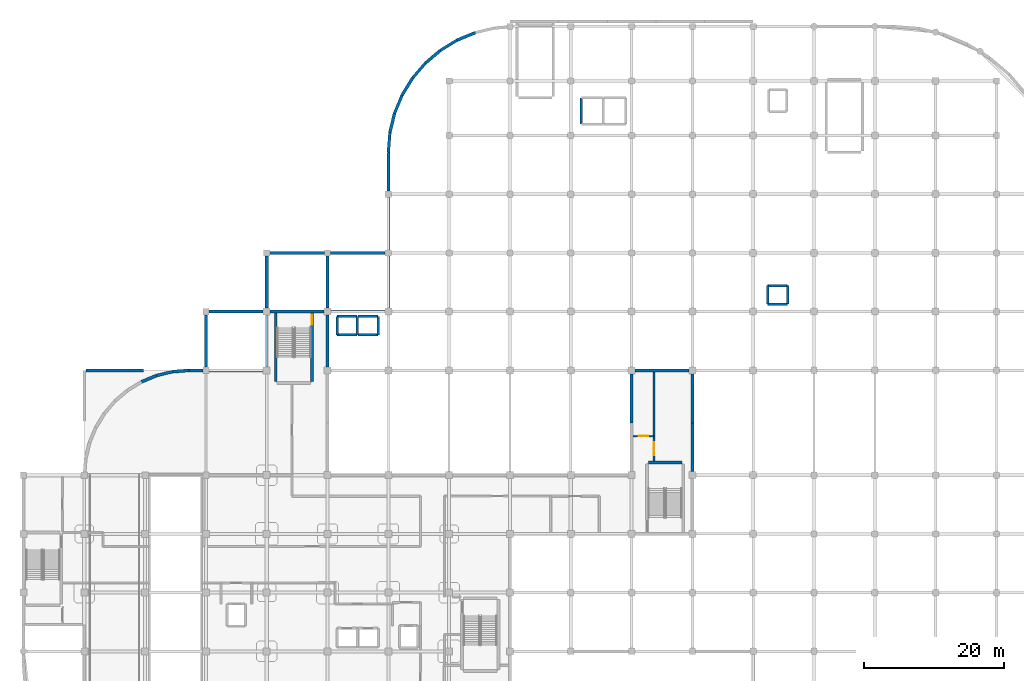
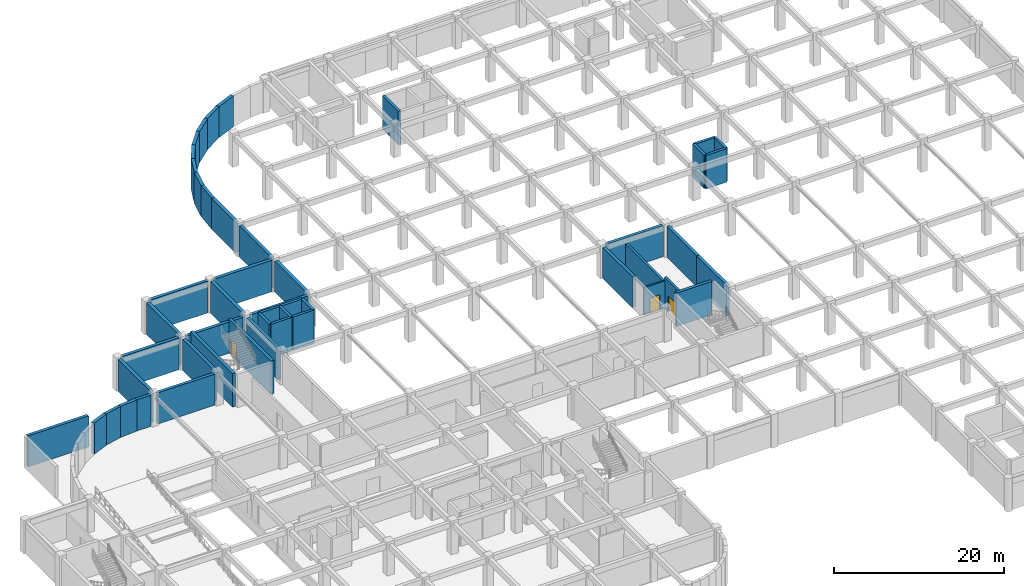
# One storey, part 13 of 19: 49 walls, 3 doors, 3 openings.
"""IFC4 building model written with IfcOpenShell, lengths in metres."""

from ifc_helpers import new_model, si_unit, derived_unit, direction, frame, frame_2d, origin, place, context, subcontext, project, spatial, rectangle, extrude, material, layer, layer_set, type_object, element, fill, save


model = new_model("IFC4")

# Units and contexts
model_context = context("Model", 3, precision=1e-05, world=origin(), true_north=direction((0.0, 1.0)))
body_context = subcontext(model_context, "Body", "Model", "MODEL_VIEW")
ifc_project = project(units=[si_unit("LENGTHUNIT", "METRE"), si_unit("AREAUNIT", "SQUARE_METRE"), si_unit("VOLUMEUNIT", "CUBIC_METRE"), si_unit("PLANEANGLEUNIT", "RADIAN"), si_unit("MASSUNIT", "GRAM", prefix="KILO"), derived_unit("THERMALTRANSMITTANCEUNIT", [(si_unit("MASSUNIT", "GRAM", prefix="KILO"), 1), (si_unit("TIMEUNIT", "SECOND"), -3), (si_unit("THERMODYNAMICTEMPERATUREUNIT", "KELVIN"), -1)])], contexts=[model_context])

# Site, building, storey
site_placement = place(None, origin())
site = spatial("IfcSite", under=ifc_project, at=site_placement, CompositionType="ELEMENT")
building_placement = place(site_placement, origin())
building = spatial("IfcBuilding", under=site, at=building_placement, Name="Qinzheling Arcade Emporium", CompositionType="ELEMENT")
storey_placement = place(building_placement, frame((0.0, 0.0, -4.800048828125)))
storey = spatial("IfcBuildingStorey", under=building, at=storey_placement, Name="B1", CompositionType="ELEMENT", Elevation=-4.800048828125)

# Wall, opening, door
ifc_material_1 = material(Name="Double-stud acoustic gypsum board partition")
ifc_layer_1 = layer(ifc_material_1, 0.215087890625, Name="Double-stud acoustic gypsum board partition")
ifc_layer_set_1 = layer_set([ifc_layer_1], Name="Double-stud acoustic gypsum board partition")
wall_type_1 = type_object("IfcWallType", Name="Acoustic Corridor Partition Wall 215", PredefinedType="PARTITIONING", material=ifc_layer_set_1)
wall_1_placement = place(storey_placement, frame((87.2099609375, 56.0, 0.0), z_axis=(0.0, 0.0, 1.0), x_axis=(1.0, 0.0, 0.0)))
wall_1 = element("IfcWall", 1, at=wall_1_placement, inside=storey, type_object=wall_type_1, Name="Interior Wall WL-B1-INT-0016", PredefinedType="PARTITIONING", context=body_context, shape_type="SweptSolid", body=[
    extrude(rectangle(XDim=2.989990234375, YDim=0.215087890625, at=frame_2d((1.4951171875, 0.0))), origin(), (0.0, 0.0, 1.0), 3.962158203125),
])
opening_1_placement = place(wall_1_placement, frame((0.820068359375, 0.0, 0.0)))
opening_1 = element("IfcOpeningElement", 2, at=opening_1_placement, cuts=wall_1, Name="Opening FD05", PredefinedType="OPENING", context=body_context, shape_type="SweptSolid", body=[
    extrude(rectangle(XDim=1.35009765625, YDim=2.199951171875, at=frame_2d((0.675048828125, 1.10009765625))), frame((0.0, 0.11767578125, 0.0), z_axis=(0.0, -1.0, 0.0), x_axis=(1.0, 0.0, 0.0)), (0.0, 0.0, 1.0), 0.235107421875),
])
ifc_material_2 = material(Name="Class B fire-rated stainless-clad door")
door_type_1 = type_object("IfcDoorType", Name="Kitchen Fire-Rated Service Door 1350x2200", OperationType="NOTDEFINED", PredefinedType="DOOR", material=ifc_material_2)
door_1_placement = place(opening_1_placement, origin())
door_1 = element("IfcDoor", 3, at=door_1_placement, inside=storey, type_object=door_type_1, Name="FD05 Interior Door DR-B1-INT-0008", OperationType="SINGLE_SWING_RIGHT", OverallHeight=2.199951171875, OverallWidth=1.35009765625, PredefinedType="DOOR", context=body_context, shape_type="SweptSolid", body=[
    extrude(rectangle(XDim=1.35009765625, YDim=2.199951171875, at=frame_2d((0.675048828125, 1.10009765625))), frame((0.0, 0.02490234375, 0.0), z_axis=(0.0, -1.0, 0.0), x_axis=(1.0, 0.0, 0.0)), (0.0, 0.0, 1.0), 0.050048828125),
])
fill(opening_1, door_1)

# Walls
ifc_material_3 = material(Name="Concrete C40", Category="concrete")
ifc_layer_2 = layer(ifc_material_3, 0.419921875, Name="Concrete C40", Category="concrete")
ifc_layer_set_2 = layer_set([ifc_layer_2], Name="Concrete C40")
wall_type_2 = type_object("IfcWallType", Name="Basement Ramp Retaining Wall 420 C40", PredefinedType="USERDEFINED", material=ifc_layer_set_2)
wall_2_placement = place(storey_placement, frame((19.06494140625, 64.666015625, 0.0), z_axis=(0.0, 0.0, 1.0), x_axis=(0.972393894208, 0.233345483149, 0.0)))
element("IfcWall", 4, at=wall_2_placement, inside=storey, type_object=wall_type_2, Name="Retaining Wall WL-B1-RW-208", ObjectType="RETAININGWALL", PredefinedType="USERDEFINED", context=body_context, shape_type="SweptSolid", body=[
    extrude(rectangle(XDim=2.35302734375, YDim=0.419921875, at=frame_2d((1.176513671875, 0.0))), origin(), (0.0, 0.0, 1.0), 4.4599609375),
])
wall_3_placement = place(storey_placement, frame((23.699951171875, 65.39990234375, 0.0), z_axis=(0.0, 0.0, 1.0), x_axis=(1.0, 0.0, 0.0)))
element("IfcWall", 5, at=wall_3_placement, inside=storey, type_object=wall_type_2, Name="Retaining Wall WL-B1-RW-210", ObjectType="RETAININGWALL", PredefinedType="USERDEFINED", context=body_context, shape_type="SweptSolid", body=[
    extrude(rectangle(XDim=1.947998046875, YDim=0.419921875, at=frame_2d((0.97412109375, 0.0))), origin(), (0.0, 0.0, 1.0), 4.4599609375),
])
wall_4_placement = place(storey_placement, frame((26.552001953125, 73.800048828125, 0.0), z_axis=(0.0, 0.0, 1.0), x_axis=(1.0, 0.0, 0.0)))
element("IfcWall", 6, at=wall_4_placement, inside=storey, type_object=wall_type_2, Name="Retaining Wall WL-B1-RW-212", ObjectType="RETAININGWALL", PredefinedType="USERDEFINED", context=body_context, shape_type="SweptSolid", body=[
    extrude(rectangle(XDim=7.74609375, YDim=0.419921875, at=frame_2d((3.873046875, 0.0))), origin(), (0.0, 0.0, 1.0), 4.580078125),
])
wall_5_placement = place(storey_placement, frame((35.251953125, 82.199951171875, 0.0), z_axis=(0.0, 0.0, 1.0), x_axis=(1.0, 0.0, 0.0)))
element("IfcWall", 7, at=wall_5_placement, inside=storey, type_object=wall_type_2, Name="Retaining Wall WL-B1-RW-214", ObjectType="RETAININGWALL", PredefinedType="USERDEFINED", context=body_context, shape_type="SweptSolid", body=[
    extrude(rectangle(XDim=7.796142578125, YDim=0.419921875, at=frame_2d((3.89794921875, 0.0))), origin(), (0.0, 0.0, 1.0), 4.580078125),
])
wall_6_placement = place(storey_placement, frame((44.001953125, 73.800048828125, 0.0), z_axis=(0.0, 0.0, 1.0), x_axis=(1.0, 0.0, 0.0)))
element("IfcWall", 8, at=wall_6_placement, inside=storey, type_object=wall_type_2, Name="Retaining Wall WL-B1-RW-216", ObjectType="RETAININGWALL", PredefinedType="USERDEFINED", context=body_context, shape_type="SweptSolid", body=[
    extrude(rectangle(XDim=7.696044921875, YDim=0.419921875, at=frame_2d((3.84814453125, 0.0))), origin(), (0.0, 0.0, 1.0), 4.4599609375),
])
wall_7_placement = place(storey_placement, frame((52.199951171875, 82.652099609375, 0.0), z_axis=(0.0, 0.0, 1.0), x_axis=(0.0, 1.0, 0.0)))
element("IfcWall", 9, at=wall_7_placement, inside=storey, type_object=wall_type_2, Name="Retaining Wall WL-B1-RW-218", ObjectType="RETAININGWALL", PredefinedType="USERDEFINED", context=body_context, shape_type="SweptSolid", body=[
    extrude(rectangle(XDim=7.495849609375, YDim=0.419921875, at=frame_2d((3.748046875, 0.0))), origin(), (0.0, 0.0, 1.0), 4.4599609375),
])
wall_8_placement = place(storey_placement, frame((52.199951171875, 96.60009765625, 0.0), z_axis=(0.0, 0.0, 1.0), x_axis=(0.078652755923, 0.996902073418, 0.0)))
element("IfcWall", 10, at=wall_8_placement, inside=storey, type_object=wall_type_2, Name="Retaining Wall WL-B1-RW-220", ObjectType="RETAININGWALL", PredefinedType="USERDEFINED", context=body_context, shape_type="SweptSolid", body=[
    extrude(rectangle(XDim=2.82470703125, YDim=0.419921875, at=frame_2d((1.412353515625, 0.0))), origin(), (0.0, 0.0, 1.0), 4.4599609375),
])
wall_9_placement = place(storey_placement, frame((53.0810546875, 102.162109375, 0.0), z_axis=(0.0, 0.0, 1.0), x_axis=(0.382687638477, 0.923877790271, 0.0)))
element("IfcWall", 11, at=wall_9_placement, inside=storey, type_object=wall_type_2, Name="Retaining Wall WL-B1-RW-222", ObjectType="RETAININGWALL", PredefinedType="USERDEFINED", context=body_context, shape_type="SweptSolid", body=[
    extrude(rectangle(XDim=2.824951171875, YDim=0.419921875, at=frame_2d((1.41259765625, 0.0))), origin(), (0.0, 0.0, 1.0), 4.4599609375),
])
wall_10_placement = place(storey_placement, frame((55.637939453125, 107.179931640625, 0.0), z_axis=(0.0, 0.0, 1.0), x_axis=(0.649337989494, 0.760499950954, 0.0)))
element("IfcWall", 12, at=wall_10_placement, inside=storey, type_object=wall_type_2, Name="Retaining Wall WL-B1-RW-224", ObjectType="RETAININGWALL", PredefinedType="USERDEFINED", context=body_context, shape_type="SweptSolid", body=[
    extrude(rectangle(XDim=2.824462890625, YDim=0.419921875, at=frame_2d((1.412109375, 0.0))), origin(), (0.0, 0.0, 1.0), 4.4599609375),
])
wall_11_placement = place(storey_placement, frame((59.6201171875, 111.162109375, 0.0), z_axis=(0.0, 0.0, 1.0), x_axis=(0.852603737195, 0.522558003786, 0.0)))
element("IfcWall", 13, at=wall_11_placement, inside=storey, type_object=wall_type_2, Name="Retaining Wall WL-B1-RW-226", ObjectType="RETAININGWALL", PredefinedType="USERDEFINED", context=body_context, shape_type="SweptSolid", body=[
    extrude(rectangle(XDim=2.82421875, YDim=0.419921875, at=frame_2d((1.412109375, 0.0))), origin(), (0.0, 0.0, 1.0), 4.4599609375),
])
ifc_layer_3 = layer(ifc_material_3, 0.409912109375, Name="Concrete C40", Category="concrete")
ifc_layer_set_3 = layer_set([ifc_layer_3], Name="Concrete C40")
wall_type_3 = type_object("IfcWallType", Name="Interior Basement Retaining Wall 410 C40", PredefinedType="USERDEFINED", material=ifc_layer_set_3)
wall_12_placement = place(storey_placement, frame((8.945068359375, 65.39990234375, 0.0), z_axis=(0.0, 0.0, 1.0), x_axis=(1.0, 0.0, 0.0)))
element("IfcWall", 14, at=wall_12_placement, inside=storey, type_object=wall_type_3, Name="Internal Basement Retaining Wall WL-B1-RW-303", ObjectType="RETAININGWALL", PredefinedType="USERDEFINED", context=body_context, shape_type="SweptSolid", body=[
    extrude(rectangle(XDim=8.22705078125, YDim=0.409912109375, at=frame_2d((4.113525390625, 0.0))), origin(), (0.0, 0.0, 1.0), 4.4599609375),
])
wall_13_placement = place(storey_placement, frame((26.552001953125, 65.39990234375, 0.0), z_axis=(0.0, 0.0, 1.0), x_axis=(1.0, 0.0, 0.0)))
element("IfcWall", 15, at=wall_13_placement, inside=storey, type_object=wall_type_3, Name="Internal Basement Retaining Wall WL-B1-RW-304", ObjectType="RETAININGWALL", PredefinedType="USERDEFINED", context=body_context, shape_type="SweptSolid", body=[
    extrude(rectangle(XDim=7.74609375, YDim=0.409912109375, at=frame_2d((3.873046875, 0.0))), origin(), (0.0, 0.0, 1.0), 4.4599609375),
])
wall_14_placement = place(storey_placement, frame((34.800048828125, 65.902099609375, 0.0), z_axis=(0.0, 0.0, 1.0), x_axis=(0.0, 1.0, 0.0)))
element("IfcWall", 16, at=wall_14_placement, inside=storey, type_object=wall_type_3, Name="Internal Basement Retaining Wall WL-B1-RW-305", ObjectType="RETAININGWALL", PredefinedType="USERDEFINED", context=body_context, shape_type="SweptSolid", body=[
    extrude(rectangle(XDim=7.39599609375, YDim=0.409912109375, at=frame_2d((3.697998046875, 0.0))), origin(), (0.0, 0.0, 1.0), 4.4599609375),
])
wall_15_placement = place(storey_placement, frame((35.302001953125, 73.800048828125, 0.0), z_axis=(0.0, 0.0, 1.0), x_axis=(1.0, 0.0, 0.0)))
element("IfcWall", 17, at=wall_15_placement, inside=storey, type_object=wall_type_3, Name="Internal Basement Retaining Wall WL-B1-RW-306", ObjectType="RETAININGWALL", PredefinedType="USERDEFINED", context=body_context, shape_type="SweptSolid", body=[
    extrude(rectangle(XDim=7.696044921875, YDim=0.409912109375, at=frame_2d((3.84814453125, 0.0))), origin(), (0.0, 0.0, 1.0), 4.4599609375),
])
wall_16_placement = place(storey_placement, frame((43.5, 73.298095703125, 0.0), z_axis=(0.0, 0.0, 1.0), x_axis=(0.0, -1.0, 0.0)))
element("IfcWall", 18, at=wall_16_placement, inside=storey, type_object=wall_type_3, Name="Internal Basement Retaining Wall WL-B1-RW-307", ObjectType="RETAININGWALL", PredefinedType="USERDEFINED", context=body_context, shape_type="SweptSolid", body=[
    extrude(rectangle(XDim=7.39599609375, YDim=0.409912109375, at=frame_2d((3.697998046875, 0.0))), origin(), (0.0, 0.0, 1.0), 4.4599609375),
])
wall_17_placement = place(storey_placement, frame((87.0, 57.902099609375, 0.0), z_axis=(0.0, 0.0, 1.0), x_axis=(0.0, 1.0, 0.0)))
element("IfcWall", 19, at=wall_17_placement, inside=storey, type_object=wall_type_3, Name="Internal Basement Retaining Wall WL-B1-RW-316", ObjectType="RETAININGWALL", PredefinedType="USERDEFINED", context=body_context, shape_type="SweptSolid", body=[
    extrude(rectangle(XDim=6.995849609375, YDim=0.409912109375, at=frame_2d((3.498046875, 0.0))), origin(), (0.0, 0.0, 1.0), 4.4599609375),
])
wall_18_placement = place(storey_placement, frame((87.501953125, 65.39990234375, 0.0), z_axis=(0.0, 0.0, 1.0), x_axis=(1.0, 0.0, 0.0)))
element("IfcWall", 20, at=wall_18_placement, inside=storey, type_object=wall_type_3, Name="Internal Basement Retaining Wall WL-B1-RW-317", ObjectType="RETAININGWALL", PredefinedType="USERDEFINED", context=body_context, shape_type="SweptSolid", body=[
    extrude(rectangle(XDim=7.696044921875, YDim=0.409912109375, at=frame_2d((3.84814453125, 0.0))), origin(), (0.0, 0.0, 1.0), 4.4599609375),
])
for number, where, z_axis, x_axis, name in (
    (21, (95.699951171875, 64.89794921875, 0.0), (0.0, 0.0, 1.0), (0.0, -1.0, 0.0), "Internal Basement Retaining Wall WL-B1-RW-318"),
    (22, (95.699951171875, 57.89794921875, 0.0), (0.0, 0.0, 1.0), (0.0, -1.0, 0.0), "Internal Basement Retaining Wall WL-B1-RW-319"),
):
    element("IfcWall", number, at=place(storey_placement, frame(where, z_axis=z_axis, x_axis=x_axis)), inside=storey, type_object=wall_type_3, Name=name, ObjectType="RETAININGWALL", PredefinedType="USERDEFINED", context=body_context, shape_type="SweptSolid", body=[
        extrude(rectangle(XDim=6.995849609375, YDim=0.409912109375, at=frame_2d((3.498046875, 0.0))), origin(), (0.0, 0.0, 1.0), 4.4599609375),
    ])
ifc_layer_4 = layer(ifc_material_3, 0.35009765625, Name="Concrete C40", Category="concrete")
ifc_layer_set_4 = layer_set([ifc_layer_4], Name="Concrete C40")
wall_type_4 = type_object("IfcWallType", Name="RC Lift Shaft Shear Wall 350 C40", PredefinedType="SHEAR", material=ifc_layer_set_4)
for number, where, z_axis, x_axis, name in (
    (23, (44.875, 73.125, 0.0), (0.0, 0.0, 1.0), (1.0, 0.0, 0.0), "Lift Shaft Wall WL-B1-LFT-LP03-N"),
    (24, (47.72509765625, 70.47509765625, 0.0), (0.0, 0.0, 1.0), (-1.0, 0.0, 0.0), "Lift Shaft Wall WL-B1-LFT-LP03-S"),
):
    element("IfcWall", number, at=place(storey_placement, frame(where, z_axis=z_axis, x_axis=x_axis)), inside=storey, type_object=wall_type_4, Name=name, PredefinedType="SHEAR", context=body_context, shape_type="SweptSolid", body=[
        extrude(rectangle(XDim=2.85009765625, YDim=0.35009765625, at=frame_2d((1.425048828125, 0.0))), origin(), (0.0, 0.0, 1.0), 4.800048828125),
    ])
for number, where, z_axis, x_axis, name in (
    (25, (44.875, 70.47509765625, 0.0), (0.0, 0.0, 1.0), (0.0, 1.0, 0.0), "Lift Shaft Wall WL-B1-LFT-LP03-W"),
    (26, (47.72509765625, 73.125, 0.0), (0.0, 0.0, 1.0), (0.0, -1.0, 0.0), "Lift Shaft Wall WL-B1-LFT-LP03-E"),
):
    element("IfcWall", number, at=place(storey_placement, frame(where, z_axis=z_axis, x_axis=x_axis)), inside=storey, type_object=wall_type_4, Name=name, PredefinedType="SHEAR", context=body_context, shape_type="SweptSolid", body=[
        extrude(rectangle(XDim=2.64990234375, YDim=0.35009765625, at=frame_2d((1.324951171875, 0.0))), origin(), (0.0, 0.0, 1.0), 4.800048828125),
    ])
for number, where, z_axis, x_axis, name in (
    (27, (47.875, 73.125, 0.0), (0.0, 0.0, 1.0), (1.0, 0.0, 0.0), "Lift Shaft Wall WL-B1-LFT-LP04-N"),
    (28, (50.72509765625, 70.47509765625, 0.0), (0.0, 0.0, 1.0), (-1.0, 0.0, 0.0), "Lift Shaft Wall WL-B1-LFT-LP04-S"),
):
    element("IfcWall", number, at=place(storey_placement, frame(where, z_axis=z_axis, x_axis=x_axis)), inside=storey, type_object=wall_type_4, Name=name, PredefinedType="SHEAR", context=body_context, shape_type="SweptSolid", body=[
        extrude(rectangle(XDim=2.85009765625, YDim=0.35009765625, at=frame_2d((1.425048828125, 0.0))), origin(), (0.0, 0.0, 1.0), 4.800048828125),
    ])
wall_19_placement = place(storey_placement, frame((50.72509765625, 73.125, 0.0), z_axis=(0.0, 0.0, 1.0), x_axis=(0.0, -1.0, 0.0)))
element("IfcWall", 29, at=wall_19_placement, inside=storey, type_object=wall_type_4, Name="Lift Shaft Wall WL-B1-LFT-LP04-E", PredefinedType="SHEAR", context=body_context, shape_type="SweptSolid", body=[
    extrude(rectangle(XDim=2.64990234375, YDim=0.35009765625, at=frame_2d((1.324951171875, 0.0))), origin(), (0.0, 0.0, 1.0), 4.800048828125),
])
for number, where, z_axis, x_axis, name in (
    (30, (106.47509765625, 77.52490234375, 0.0), (0.0, 0.0, 1.0), (1.0, 0.0, 0.0), "Lift Shaft Wall WL-B1-LFT-LP06-N"),
    (31, (109.324951171875, 74.875, 0.0), (0.0, 0.0, 1.0), (-1.0, 0.0, 0.0), "Lift Shaft Wall WL-B1-LFT-LP06-S"),
):
    element("IfcWall", number, at=place(storey_placement, frame(where, z_axis=z_axis, x_axis=x_axis)), inside=storey, type_object=wall_type_4, Name=name, PredefinedType="SHEAR", context=body_context, shape_type="SweptSolid", body=[
        extrude(rectangle(XDim=2.849853515625, YDim=0.35009765625, at=frame_2d((1.4248046875, 0.0))), origin(), (0.0, 0.0, 1.0), 4.800048828125),
    ])
for number, where, z_axis, x_axis, name in (
    (32, (106.47509765625, 74.875, 0.0), (0.0, 0.0, 1.0), (0.0, 1.0, 0.0), "Lift Shaft Wall WL-B1-LFT-LP06-W"),
    (33, (109.324951171875, 77.52490234375, 0.0), (0.0, 0.0, 1.0), (0.0, -1.0, 0.0), "Lift Shaft Wall WL-B1-LFT-LP06-E"),
):
    element("IfcWall", number, at=place(storey_placement, frame(where, z_axis=z_axis, x_axis=x_axis)), inside=storey, type_object=wall_type_4, Name=name, PredefinedType="SHEAR", context=body_context, shape_type="SweptSolid", body=[
        extrude(rectangle(XDim=2.64990234375, YDim=0.35009765625, at=frame_2d((1.324951171875, 0.0))), origin(), (0.0, 0.0, 1.0), 4.800048828125),
    ])
wall_20_placement = place(storey_placement, frame((79.824951171875, 100.625, 0.0), z_axis=(0.0, 0.0, 1.0), x_axis=(0.0, 1.0, 0.0)))
element("IfcWall", 34, at=wall_20_placement, inside=storey, type_object=wall_type_4, Name="Lift Shaft Wall WL-B1-LFT-LG01-W", PredefinedType="SHEAR", context=body_context, shape_type="SweptSolid", body=[
    extrude(rectangle(XDim=3.75, YDim=0.35009765625, at=frame_2d((1.875, 0.0))), origin(), (0.0, 0.0, 1.0), 4.800048828125),
])
ifc_material_4 = material(Name="Concrete C50", Category="concrete")
ifc_layer_5 = layer(ifc_material_4, 0.39990234375, Name="Concrete C50", Category="concrete")
ifc_layer_set_5 = layer_set([ifc_layer_5], Name="Concrete C50")
wall_type_5 = type_object("IfcWallType", Name="RC Stair Core Shear Wall 400 C50", PredefinedType="SHEAR", material=ifc_layer_set_5)
wall_21_placement = place(storey_placement, frame((36.10009765625, 63.800048828125, 0.0), z_axis=(0.0, 0.0, 1.0), x_axis=(0.0, 1.0, 0.0)))
element("IfcWall", 35, at=wall_21_placement, inside=storey, type_object=wall_type_5, Name="Stair Core Wall WL-B1-ST03-WEST", PredefinedType="SHEAR", context=body_context, shape_type="SweptSolid", body=[
    extrude(rectangle(XDim=10.0, YDim=0.39990234375, at=frame_2d((5.0, 0.0))), origin(), (0.0, 0.0, 1.0), 4.800048828125),
])

# Wall, opening, door
wall_22_placement = place(storey_placement, frame((41.2900390625, 73.800048828125, 0.0), z_axis=(0.0, 0.0, 1.0), x_axis=(0.0, -1.0, 0.0)))
wall_22 = element("IfcWall", 36, at=wall_22_placement, inside=storey, type_object=wall_type_5, Name="Stair Core Wall WL-B1-ST03-EAST", PredefinedType="SHEAR", context=body_context, shape_type="SweptSolid", body=[
    extrude(rectangle(XDim=10.0, YDim=0.39990234375, at=frame_2d((5.0, 0.0))), origin(), (0.0, 0.0, 1.0), 4.800048828125),
])
opening_2_placement = place(wall_22_placement, frame((0.409912109375, 0.0, 0.0)))
opening_2 = element("IfcOpeningElement", 37, at=opening_2_placement, cuts=wall_22, Name="Opening FD01", PredefinedType="OPENING", context=body_context, shape_type="SweptSolid", body=[
    extrude(rectangle(XDim=1.5, YDim=2.199951171875, at=frame_2d((0.75, 1.10009765625))), frame((0.0, 0.2099609375, 0.0), z_axis=(0.0, -1.0, 0.0), x_axis=(1.0, 0.0, 0.0)), (0.0, 0.0, 1.0), 0.419921875),
])
ifc_material_5 = material(Name="Class A fire-rated steel double door", Category="steel")
door_type_2 = type_object("IfcDoorType", Name="Stairwell Smoke-Proof Fire Door 1500x2200", OperationType="DOUBLE_DOOR_SINGLE_SWING", PredefinedType="DOOR", material=ifc_material_5)
door_2_placement = place(opening_2_placement, origin())
door_2 = element("IfcDoor", 38, at=door_2_placement, inside=storey, type_object=door_type_2, Name="FD01 Stairwell Fire Door DR-B1-ST03-FD", OperationType="DOUBLE_DOOR_SINGLE_SWING", OverallHeight=2.199951171875, OverallWidth=1.5, PredefinedType="DOOR", context=body_context, shape_type="SweptSolid", body=[
    extrude(rectangle(XDim=1.5, YDim=2.199951171875, at=frame_2d((0.75, 1.10009765625))), frame((0.0, 0.02490234375, 0.0), z_axis=(0.0, -1.0, 0.0), x_axis=(1.0, 0.0, 0.0)), (0.0, 0.0, 1.0), 0.050048828125),
])
fill(opening_2, door_2)

# Wall
wall_23_placement = place(storey_placement, frame((89.39990234375, 52.199951171875, 0.0), z_axis=(0.0, 0.0, 1.0), x_axis=(1.0, 0.0, 0.0)))
element("IfcWall", 39, at=wall_23_placement, inside=storey, type_object=wall_type_5, Name="Stair Core Wall WL-B1-ST04-NORTH", PredefinedType="SHEAR", context=body_context, shape_type="SweptSolid", body=[
    extrude(rectangle(XDim=4.7900390625, YDim=0.39990234375, at=frame_2d((2.39501953125, 0.0))), origin(), (0.0, 0.0, 1.0), 4.800048828125),
])

# Wall, opening, door
ifc_material_6 = material(Name="Autoclaved aerated concrete masonry with fire plaster", Category="masonry")
ifc_layer_6 = layer(ifc_material_6, 0.31005859375, Name="Autoclaved aerated concrete masonry with fire plaster", Category="masonry")
ifc_layer_set_6 = layer_set([ifc_layer_6], Name="Autoclaved aerated concrete masonry with fire plaster")
wall_type_6 = type_object("IfcWallType", Name="Retail Compartment Fire Wall 310 C40", PredefinedType="STANDARD", material=ifc_layer_set_6)
wall_24_placement = place(storey_placement, frame((90.199951171875, 56.0, 0.0), z_axis=(0.0, 0.0, 1.0), x_axis=(0.0, -1.0, 0.0)))
wall_24 = element("IfcWall", 40, at=wall_24_placement, inside=storey, type_object=wall_type_6, Name="Interior Wall WL-B1-INT-0011", PredefinedType="STANDARD", context=body_context, shape_type="SweptSolid", body=[
    extrude(rectangle(XDim=3.594970703125, YDim=0.31005859375, at=frame_2d((1.79736328125, 0.0))), origin(), (0.0, 0.0, 1.0), 4.43994140625),
])
opening_3_placement = place(wall_24_placement, frame((0.8720703125, 0.0, 0.0)))
opening_3 = element("IfcOpeningElement", 41, at=opening_3_placement, cuts=wall_24, Name="Opening FD03", PredefinedType="OPENING", context=body_context, shape_type="SweptSolid", body=[
    extrude(rectangle(XDim=1.85009765625, YDim=2.300048828125, at=frame_2d((0.925048828125, 1.14990234375))), frame((0.0, 0.1650390625, 0.0), z_axis=(0.0, -1.0, 0.0), x_axis=(1.0, 0.0, 0.0)), (0.0, 0.0, 1.0), 0.330078125),
])
door_type_3 = type_object("IfcDoorType", Name="Stockroom Double Fire Door 1850x2300", OperationType="DOUBLE_DOOR_SINGLE_SWING", PredefinedType="DOOR", material=ifc_material_5)
door_3_placement = place(opening_3_placement, origin())
door_3 = element("IfcDoor", 42, at=door_3_placement, inside=storey, type_object=door_type_3, Name="FD03 Interior Door DR-B1-INT-0006", OperationType="DOUBLE_DOOR_SINGLE_SWING", OverallHeight=2.300048828125, OverallWidth=1.85009765625, PredefinedType="DOOR", context=body_context, shape_type="SweptSolid", body=[
    extrude(rectangle(XDim=1.85009765625, YDim=2.300048828125, at=frame_2d((0.925048828125, 1.14990234375))), frame((0.0, 0.02490234375, 0.0), z_axis=(0.0, -1.0, 0.0), x_axis=(1.0, 0.0, 0.0)), (0.0, 0.0, 1.0), 0.050048828125),
])
fill(opening_3, door_3)

# Walls
wall_25_placement = place(storey_placement, frame((90.199951171875, 56.0, 0.0), z_axis=(0.0, 0.0, 1.0), x_axis=(0.0, 1.0, 0.0)))
element("IfcWall", 43, at=wall_25_placement, inside=storey, type_object=wall_type_6, Name="Interior Wall WL-B1-INT-0040", PredefinedType="STANDARD", context=body_context, shape_type="SweptSolid", body=[
    extrude(rectangle(XDim=9.18994140625, YDim=0.31005859375, at=frame_2d((4.594970703125, 0.0))), origin(), (0.0, 0.0, 1.0), 3.650146484375),
])
ifc_layer_7 = layer(ifc_material_3, 0.449951171875, Name="Concrete C40", Category="concrete")
ifc_layer_set_7 = layer_set([ifc_layer_7], Name="Concrete C40")
wall_type_7 = type_object("IfcWallType", Name="Waterproof Basement Retaining Wall 450 C40", PredefinedType="USERDEFINED", material=ifc_layer_set_7)
for number, where, z_axis, x_axis, name in (
    (44, (16.889892578125, 63.764892578125, 0.0), (0.0, 0.0, 1.0), (0.92385124914, 0.382751707327, 0.0), "Retaining Wall WL-B1-RW-207"),
    (45, (21.35302734375, 65.215087890625, 0.0), (0.0, 0.0, 1.0), (0.996913759647, 0.078504495584, 0.0), "Retaining Wall WL-B1-RW-209"),
):
    element("IfcWall", number, at=place(storey_placement, frame(where, z_axis=z_axis, x_axis=x_axis)), inside=storey, type_object=wall_type_7, Name=name, ObjectType="RETAININGWALL", PredefinedType="USERDEFINED", context=body_context, shape_type="SweptSolid", body=[
        extrude(rectangle(XDim=2.354248046875, YDim=0.449951171875, at=frame_2d((1.17724609375, 0.0))), origin(), (0.0, 0.0, 1.0), 4.4599609375),
    ])
wall_26_placement = place(storey_placement, frame((26.10009765625, 65.85205078125, 0.0), z_axis=(0.0, 0.0, 1.0), x_axis=(0.0, 1.0, 0.0)))
element("IfcWall", 46, at=wall_26_placement, inside=storey, type_object=wall_type_7, Name="Retaining Wall WL-B1-RW-211", ObjectType="RETAININGWALL", PredefinedType="USERDEFINED", context=body_context, shape_type="SweptSolid", body=[
    extrude(rectangle(XDim=7.495849609375, YDim=0.449951171875, at=frame_2d((3.748046875, 0.0))), origin(), (0.0, 0.0, 1.0), 4.580078125),
])
for number, where, z_axis, x_axis, name in (
    (47, (34.800048828125, 74.302001953125, 0.0), (0.0, 0.0, 1.0), (0.0, 1.0, 0.0), "Retaining Wall WL-B1-RW-213"),
    (48, (43.5, 81.748046875, 0.0), (0.0, 0.0, 1.0), (0.0, -1.0, 0.0), "Retaining Wall WL-B1-RW-215"),
):
    element("IfcWall", number, at=place(storey_placement, frame(where, z_axis=z_axis, x_axis=x_axis)), inside=storey, type_object=wall_type_7, Name=name, ObjectType="RETAININGWALL", PredefinedType="USERDEFINED", context=body_context, shape_type="SweptSolid", body=[
        extrude(rectangle(XDim=7.446044921875, YDim=0.449951171875, at=frame_2d((3.72314453125, 0.0))), origin(), (0.0, 0.0, 1.0), 4.580078125),
    ])
wall_27_placement = place(storey_placement, frame((52.199951171875, 74.302001953125, 0.0), z_axis=(0.0, 0.0, 1.0), x_axis=(0.0, 1.0, 0.0)))
element("IfcWall", 49, at=wall_27_placement, inside=storey, type_object=wall_type_7, Name="Retaining Wall WL-B1-RW-217", ObjectType="RETAININGWALL", PredefinedType="USERDEFINED", context=body_context, shape_type="SweptSolid", body=[
    extrude(rectangle(XDim=7.446044921875, YDim=0.449951171875, at=frame_2d((3.72314453125, 0.0))), origin(), (0.0, 0.0, 1.0), 4.4599609375),
])
wall_28_placement = place(storey_placement, frame((52.199951171875, 91.052001953125, 0.0), z_axis=(0.0, 0.0, 1.0), x_axis=(0.0, 1.0, 0.0)))
element("IfcWall", 50, at=wall_28_placement, inside=storey, type_object=wall_type_7, Name="Retaining Wall WL-B1-RW-219", ObjectType="RETAININGWALL", PredefinedType="USERDEFINED", context=body_context, shape_type="SweptSolid", body=[
    extrude(rectangle(XDim=5.548095703125, YDim=0.449951171875, at=frame_2d((2.77392578125, 0.0))), origin(), (0.0, 0.0, 1.0), 4.4599609375),
])
wall_29_placement = place(storey_placement, frame((52.422119140625, 99.416015625, 0.0), z_axis=(0.0, 0.0, 1.0), x_axis=(0.233330446234, 0.972397502496, 0.0)))
element("IfcWall", 51, at=wall_29_placement, inside=storey, type_object=wall_type_7, Name="Retaining Wall WL-B1-RW-221", ObjectType="RETAININGWALL", PredefinedType="USERDEFINED", context=body_context, shape_type="SweptSolid", body=[
    extrude(rectangle(XDim=2.823974609375, YDim=0.449951171875, at=frame_2d((1.412109375, 0.0))), origin(), (0.0, 0.0, 1.0), 4.4599609375),
])
wall_30_placement = place(storey_placement, frame((54.162109375, 104.77197265625, 0.0), z_axis=(0.0, 0.0, 1.0), x_axis=(0.522558003786, 0.852603737195, 0.0)))
element("IfcWall", 52, at=wall_30_placement, inside=storey, type_object=wall_type_7, Name="Retaining Wall WL-B1-RW-223", ObjectType="RETAININGWALL", PredefinedType="USERDEFINED", context=body_context, shape_type="SweptSolid", body=[
    extrude(rectangle(XDim=2.82421875, YDim=0.449951171875, at=frame_2d((1.412109375, 0.0))), origin(), (0.0, 0.0, 1.0), 4.4599609375),
])
wall_31_placement = place(storey_placement, frame((57.471923828125, 109.327880859375, 0.0), z_axis=(0.0, 0.0, 1.0), x_axis=(0.760493712287, 0.649345296103, 0.0)))
element("IfcWall", 53, at=wall_31_placement, inside=storey, type_object=wall_type_7, Name="Retaining Wall WL-B1-RW-225", ObjectType="RETAININGWALL", PredefinedType="USERDEFINED", context=body_context, shape_type="SweptSolid", body=[
    extrude(rectangle(XDim=2.82470703125, YDim=0.449951171875, at=frame_2d((1.412353515625, 0.0))), origin(), (0.0, 0.0, 1.0), 4.4599609375),
])
wall_32_placement = place(storey_placement, frame((62.028076171875, 112.637939453125, 0.0), z_axis=(0.0, 0.0, 1.0), x_axis=(0.923877790271, 0.382687638477, 0.0)))
element("IfcWall", 54, at=wall_32_placement, inside=storey, type_object=wall_type_7, Name="Retaining Wall WL-B1-RW-227", ObjectType="RETAININGWALL", PredefinedType="USERDEFINED", context=body_context, shape_type="SweptSolid", body=[
    extrude(rectangle(XDim=2.824951171875, YDim=0.449951171875, at=frame_2d((1.41259765625, 0.0))), origin(), (0.0, 0.0, 1.0), 4.4599609375),
])
wall_33_placement = place(storey_placement, frame((43.951904296875, 82.199951171875, 0.0), z_axis=(0.0, 0.0, 1.0), x_axis=(1.0, 0.0, 0.0)))
element("IfcWall", 55, at=wall_33_placement, inside=storey, type_object=wall_type_7, Name="Hillside Plinth Foundation Wall WL-B1-RW-340", ObjectType="RETAININGWALL", PredefinedType="USERDEFINED", context=body_context, shape_type="SweptSolid", body=[
    extrude(rectangle(XDim=7.796142578125, YDim=0.449951171875, at=frame_2d((3.89794921875, 0.0))), origin(), (0.0, 0.0, 1.0), 4.525146484375),
])

save(model, "model.ifc")
